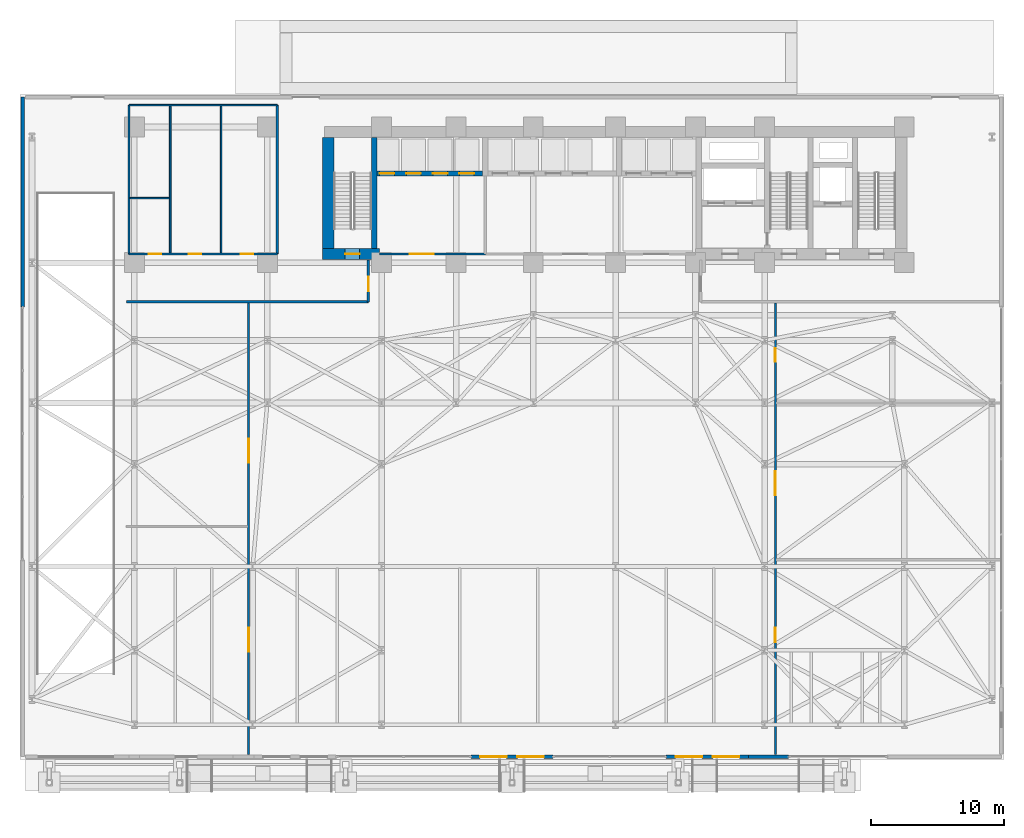
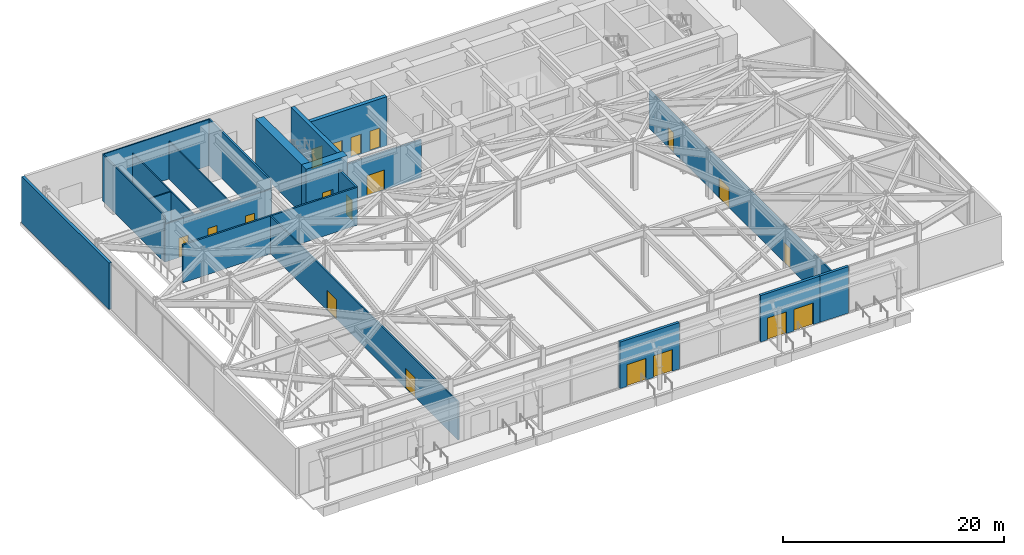
# One storey, part 25 of 31: 20 walls, 19 doors, 19 openings.
"""IFC4 building model written with IfcOpenShell, lengths in metres."""

from ifc_helpers import new_model, si_unit, direction, frame, frame_2d, origin, place, context, subcontext, project, spatial, rectangle, extrude, material, layer, layer_set, type_object, element, fill, save


model = new_model("IFC4")

# Units and contexts
model_context = context("Model", 3, precision=1e-05, world=origin(), true_north=direction((0.0, 1.0)))
body_context = subcontext(model_context, "Body", "Model", "MODEL_VIEW")
ifc_project = project(units=[si_unit("LENGTHUNIT", "METRE"), si_unit("AREAUNIT", "SQUARE_METRE"), si_unit("VOLUMEUNIT", "CUBIC_METRE"), si_unit("PLANEANGLEUNIT", "RADIAN"), si_unit("MASSUNIT", "GRAM", prefix="KILO")], contexts=[model_context])

# Site, building, storey
site_placement = place(None, origin())
site = spatial("IfcSite", under=ifc_project, at=site_placement, CompositionType="ELEMENT")
building_placement = place(site_placement, origin())
building = spatial("IfcBuilding", under=site, at=building_placement, Name="Kravanh Interchange Tower", CompositionType="ELEMENT")
storey_placement = place(building_placement, origin())
storey = spatial("IfcBuildingStorey", under=building, at=storey_placement, Name="L00", CompositionType="ELEMENT", Elevation=0.0)

# Wall, openings, doors
ifc_material_1 = material(Name="Double Acoustic Gypsum Board and Mineral Wool")
ifc_layer_1 = layer(ifc_material_1, 0.1201171875)
ifc_layer_set_1 = layer_set([ifc_layer_1], Name="Acoustic Office Drywall Partition 120mm")
wall_type_1 = type_object("IfcWallType", Name="Acoustic Office Drywall Partition 120mm", PredefinedType="PARTITIONING", material=ifc_layer_set_1)
wall_1_placement = place(storey_placement, frame((8.199951171875, 38.0, 0.0), z_axis=(0.0, 0.0, 1.0), x_axis=(1.0, 0.0, 0.0)))
wall_1 = element("IfcWall", 1, at=wall_1_placement, inside=storey, type_object=wall_type_1, Name="L00 Restroom Corridor Wall 14", PredefinedType="PARTITIONING", context=body_context, shape_type="SweptSolid", body=[
    extrude(rectangle(XDim=11.150146484375, YDim=0.1201171875, at=frame_2d((5.5751953125, 0.0))), origin(), (0.0, 0.0, 1.0), 4.181884765625),
])
opening_1_placement = place(wall_1_placement, frame((1.481689453125, 0.0, 0.0)))
opening_1 = element("IfcOpeningElement", 2, at=opening_1_placement, cuts=wall_1, Name="Opening D-95", PredefinedType="OPENING", context=body_context, shape_type="SweptSolid", body=[
    extrude(rectangle(XDim=0.949951171875, YDim=2.14990234375, at=frame_2d((0.47509765625, 1.074951171875))), frame((0.0, 0.070068359375, 0.0), z_axis=(0.0, -1.0, 0.0), x_axis=(1.0, 0.0, 0.0)), (0.0, 0.0, 1.0), 0.14013671875),
])
opening_2_placement = place(wall_1_placement, frame((4.494384765625, 0.0, 0.0)))
opening_2 = element("IfcOpeningElement", 3, at=opening_2_placement, cuts=wall_1, Name="Opening D-95", PredefinedType="OPENING", context=body_context, shape_type="SweptSolid", body=[
    extrude(rectangle(XDim=0.949951171875, YDim=2.14990234375, at=frame_2d((0.47509765625, 1.074951171875))), frame((0.0, 0.070068359375, 0.0), z_axis=(0.0, -1.0, 0.0), x_axis=(1.0, 0.0, 0.0)), (0.0, 0.0, 1.0), 0.14013671875),
])
opening_3_placement = place(wall_1_placement, frame((8.40673828125, 0.0, 0.0)))
opening_3 = element("IfcOpeningElement", 4, at=opening_3_placement, cuts=wall_1, Name="Opening D-95", PredefinedType="OPENING", context=body_context, shape_type="SweptSolid", body=[
    extrude(rectangle(XDim=0.949951171875, YDim=2.14990234375, at=frame_2d((0.47509765625, 1.074951171875))), frame((0.0, 0.070068359375, 0.0), z_axis=(0.0, -1.0, 0.0), x_axis=(1.0, 0.0, 0.0)), (0.0, 0.0, 1.0), 0.14013671875),
])
ifc_material_2 = material(Name="Laminate Solid-Core Timber", Category="wood")
door_type_1 = type_object("IfcDoorType", Name="Accessible Restroom Door 950x2150", OperationType="NOTDEFINED", PredefinedType="DOOR", material=ifc_material_2)
door_1_placement = place(opening_1_placement, origin())
door_1 = element("IfcDoor", 5, at=door_1_placement, inside=storey, type_object=door_type_1, Name="L00 Accessible WC Door", OperationType="SINGLE_SWING_RIGHT", OverallHeight=2.14990234375, OverallWidth=0.949951171875, PredefinedType="DOOR", context=body_context, shape_type="SweptSolid", body=[
    extrude(rectangle(XDim=0.949951171875, YDim=2.14990234375, at=frame_2d((0.47509765625, 1.074951171875))), frame((0.0, 0.02490234375, 0.0), z_axis=(0.0, -1.0, 0.0), x_axis=(1.0, 0.0, 0.0)), (0.0, 0.0, 1.0), 0.050048828125),
])
fill(opening_1, door_1)
door_2_placement = place(opening_2_placement, origin())
door_2 = element("IfcDoor", 6, at=door_2_placement, inside=storey, type_object=door_type_1, Name="L00 Female WC Door", OperationType="SINGLE_SWING_LEFT", OverallHeight=2.14990234375, OverallWidth=0.949951171875, PredefinedType="DOOR", context=body_context, shape_type="SweptSolid", body=[
    extrude(rectangle(XDim=0.949951171875, YDim=2.14990234375, at=frame_2d((0.47509765625, 1.074951171875))), frame((0.0, 0.02490234375, 0.0), z_axis=(0.0, -1.0, 0.0), x_axis=(1.0, 0.0, 0.0)), (0.0, 0.0, 1.0), 0.050048828125),
])
fill(opening_2, door_2)
door_3_placement = place(opening_3_placement, origin())
door_3 = element("IfcDoor", 7, at=door_3_placement, inside=storey, type_object=door_type_1, Name="L00 Male WC Door", OperationType="SINGLE_SWING_RIGHT", OverallHeight=2.14990234375, OverallWidth=0.949951171875, PredefinedType="DOOR", context=body_context, shape_type="SweptSolid", body=[
    extrude(rectangle(XDim=0.949951171875, YDim=2.14990234375, at=frame_2d((0.47509765625, 1.074951171875))), frame((0.0, 0.02490234375, 0.0), z_axis=(0.0, -1.0, 0.0), x_axis=(1.0, 0.0, 0.0)), (0.0, 0.0, 1.0), 0.050048828125),
])
fill(opening_3, door_3)

# Walls
wall_2_placement = place(storey_placement, frame((8.199951171875, 38.0, 0.0), z_axis=(0.0, 0.0, 1.0), x_axis=(0.0, 1.0, 0.0)))
element("IfcWall", 8, at=wall_2_placement, inside=storey, type_object=wall_type_1, Name="L00 Restroom West Enclosure 15", PredefinedType="PARTITIONING", context=body_context, shape_type="SweptSolid", body=[
    extrude(rectangle(XDim=11.199951171875, YDim=0.1201171875, at=frame_2d((5.60009765625, 0.0))), origin(), (0.0, 0.0, 1.0), 5.1298828125),
])
wall_3_placement = place(storey_placement, frame((8.199951171875, 49.199951171875, 0.0), z_axis=(0.0, 0.0, 1.0), x_axis=(1.0, 0.0, 0.0)))
element("IfcWall", 9, at=wall_3_placement, inside=storey, type_object=wall_type_1, Name="L00 Restroom North Enclosure 16", PredefinedType="PARTITIONING", context=body_context, shape_type="SweptSolid", body=[
    extrude(rectangle(XDim=11.150146484375, YDim=0.1201171875, at=frame_2d((5.5751953125, 0.0))), origin(), (0.0, 0.0, 1.0), 5.1298828125),
])
for number, where, z_axis, x_axis, name in (
    (10, (11.300048828125, 38.068115234375, 0.0), (0.0, 0.0, 1.0), (0.0, 1.0, 0.0), "L00 Interior Partition 18"),
    (11, (15.1201171875, 38.068115234375, 0.0), (0.0, 0.0, 1.0), (0.0, 1.0, 0.0), "L00 Interior Partition 19"),
):
    element("IfcWall", number, at=place(storey_placement, frame(where, z_axis=z_axis, x_axis=x_axis)), inside=storey, type_object=wall_type_1, Name=name, PredefinedType="PARTITIONING", context=body_context, shape_type="SweptSolid", body=[
        extrude(rectangle(XDim=11.06396484375, YDim=0.1201171875, at=frame_2d((5.531982421875, 0.0))), origin(), (0.0, 0.0, 1.0), 4.181884765625),
    ])
wall_4_placement = place(storey_placement, frame((8.26806640625, 42.199951171875, 0.0), z_axis=(0.0, 0.0, 1.0), x_axis=(1.0, 0.0, 0.0)))
element("IfcWall", 12, at=wall_4_placement, inside=storey, type_object=wall_type_1, Name="L00 Interior Partition 20", PredefinedType="PARTITIONING", context=body_context, shape_type="SweptSolid", body=[
    extrude(rectangle(XDim=2.9638671875, YDim=0.1201171875, at=frame_2d((1.48193359375, 0.0))), origin(), (0.0, 0.0, 1.0), 4.181884765625),
])

# Wall, openings, doors
ifc_material_3 = material(Name="Concrete C80/95", Category="concrete")
ifc_layer_2 = layer(ifc_material_3, 0.39990234375)
ifc_layer_set_2 = layer_set([ifc_layer_2], Name="Core Shear Wall Concrete C80/95 400mm")
wall_type_2 = type_object("IfcWallType", Name="Core Shear Wall Concrete C80/95 400mm", PredefinedType="SHEAR", material=ifc_layer_set_2)
wall_5_placement = place(storey_placement, frame((26.85009765625, 44.050048828125, 0.0), z_axis=(0.0, 0.0, 1.0), x_axis=(1.0, 0.0, 0.0)))
wall_5 = element("IfcWall", 13, at=wall_5_placement, inside=storey, type_object=wall_type_2, Name="L00 Low-Rise Lift Shaft South Wall", PredefinedType="SHEAR", context=body_context, shape_type="SweptSolid", body=[
    extrude(rectangle(XDim=7.949951171875, YDim=0.39990234375, at=frame_2d((3.97509765625, 0.0))), origin(), (0.0, 0.0, 1.0), 5.39990234375),
])
opening_4_placement = place(wall_5_placement, frame((0.199951171875, 0.0, 0.0)))
opening_4 = element("IfcOpeningElement", 14, at=opening_4_placement, cuts=wall_5, Name="Opening LD01", PredefinedType="OPENING", context=body_context, shape_type="SweptSolid", body=[
    extrude(rectangle(XDim=1.10009765625, YDim=2.199951171875, at=frame_2d((0.550048828125, 1.10009765625))), frame((0.0, 0.2099609375, 0.0), z_axis=(0.0, -1.0, 0.0), x_axis=(1.0, 0.0, 0.0)), (0.0, 0.0, 1.0), 0.419921875),
])
opening_5_placement = place(wall_5_placement, frame((2.199951171875, 0.0, 0.0)))
opening_5 = element("IfcOpeningElement", 15, at=opening_5_placement, cuts=wall_5, Name="Opening LD01", PredefinedType="OPENING", context=body_context, shape_type="SweptSolid", body=[
    extrude(rectangle(XDim=1.10009765625, YDim=2.199951171875, at=frame_2d((0.550048828125, 1.10009765625))), frame((0.0, 0.2099609375, 0.0), z_axis=(0.0, -1.0, 0.0), x_axis=(1.0, 0.0, 0.0)), (0.0, 0.0, 1.0), 0.419921875),
])
opening_6_placement = place(wall_5_placement, frame((4.199951171875, 0.0, 0.0)))
opening_6 = element("IfcOpeningElement", 16, at=opening_6_placement, cuts=wall_5, Name="Opening LD01", PredefinedType="OPENING", context=body_context, shape_type="SweptSolid", body=[
    extrude(rectangle(XDim=1.10009765625, YDim=2.199951171875, at=frame_2d((0.550048828125, 1.10009765625))), frame((0.0, 0.2099609375, 0.0), z_axis=(0.0, -1.0, 0.0), x_axis=(1.0, 0.0, 0.0)), (0.0, 0.0, 1.0), 0.419921875),
])
opening_7_placement = place(wall_5_placement, frame((6.199951171875, 0.0, 0.0)))
opening_7 = element("IfcOpeningElement", 17, at=opening_7_placement, cuts=wall_5, Name="Opening LD01", PredefinedType="OPENING", context=body_context, shape_type="SweptSolid", body=[
    extrude(rectangle(XDim=1.10009765625, YDim=2.199951171875, at=frame_2d((0.550048828125, 1.10009765625))), frame((0.0, 0.2099609375, 0.0), z_axis=(0.0, -1.0, 0.0), x_axis=(1.0, 0.0, 0.0)), (0.0, 0.0, 1.0), 0.419921875),
])
ifc_material_4 = material(Name="Stainless Steel 304", Category="steel")
door_type_2 = type_object("IfcDoorType", Name="Passenger Lift Sliding Landing Door 1100x2200", OperationType="DOUBLE_DOOR_SLIDING", PredefinedType="DOOR", material=ifc_material_4)
door_4_placement = place(opening_4_placement, origin())
door_4 = element("IfcDoor", 18, at=door_4_placement, inside=storey, type_object=door_type_2, Name="L00 Lift LP-L1 Landing Door", OperationType="DOUBLE_DOOR_SLIDING", OverallHeight=2.199951171875, OverallWidth=1.10009765625, PredefinedType="DOOR", context=body_context, shape_type="SweptSolid", body=[
    extrude(rectangle(XDim=1.10009765625, YDim=2.199951171875, at=frame_2d((0.550048828125, 1.10009765625))), frame((0.0, 0.02490234375, 0.0), z_axis=(0.0, -1.0, 0.0), x_axis=(1.0, 0.0, 0.0)), (0.0, 0.0, 1.0), 0.050048828125),
])
fill(opening_4, door_4)
door_5_placement = place(opening_5_placement, origin())
door_5 = element("IfcDoor", 19, at=door_5_placement, inside=storey, type_object=door_type_2, Name="L00 Lift LP-L2 Landing Door", OperationType="DOUBLE_DOOR_SLIDING", OverallHeight=2.199951171875, OverallWidth=1.10009765625, PredefinedType="DOOR", context=body_context, shape_type="SweptSolid", body=[
    extrude(rectangle(XDim=1.10009765625, YDim=2.199951171875, at=frame_2d((0.550048828125, 1.10009765625))), frame((0.0, 0.02490234375, 0.0), z_axis=(0.0, -1.0, 0.0), x_axis=(1.0, 0.0, 0.0)), (0.0, 0.0, 1.0), 0.050048828125),
])
fill(opening_5, door_5)
door_6_placement = place(opening_6_placement, origin())
door_6 = element("IfcDoor", 20, at=door_6_placement, inside=storey, type_object=door_type_2, Name="L00 Lift LP-L3 Landing Door", OperationType="DOUBLE_DOOR_SLIDING", OverallHeight=2.199951171875, OverallWidth=1.10009765625, PredefinedType="DOOR", context=body_context, shape_type="SweptSolid", body=[
    extrude(rectangle(XDim=1.10009765625, YDim=2.199951171875, at=frame_2d((0.550048828125, 1.10009765625))), frame((0.0, 0.02490234375, 0.0), z_axis=(0.0, -1.0, 0.0), x_axis=(1.0, 0.0, 0.0)), (0.0, 0.0, 1.0), 0.050048828125),
])
fill(opening_6, door_6)
door_7_placement = place(opening_7_placement, origin())
door_7 = element("IfcDoor", 21, at=door_7_placement, inside=storey, type_object=door_type_2, Name="L00 Lift LP-L4 Landing Door", OperationType="DOUBLE_DOOR_SLIDING", OverallHeight=2.199951171875, OverallWidth=1.10009765625, PredefinedType="DOOR", context=body_context, shape_type="SweptSolid", body=[
    extrude(rectangle(XDim=1.10009765625, YDim=2.199951171875, at=frame_2d((0.550048828125, 1.10009765625))), frame((0.0, 0.02490234375, 0.0), z_axis=(0.0, -1.0, 0.0), x_axis=(1.0, 0.0, 0.0)), (0.0, 0.0, 1.0), 0.050048828125),
])
fill(opening_7, door_7)

# Wall
wall_6_placement = place(storey_placement, frame((26.64990234375, 38.425048828125, 0.0), z_axis=(0.0, 0.0, 1.0), x_axis=(0.0, 1.0, 0.0)))
element("IfcWall", 22, at=wall_6_placement, inside=storey, type_object=wall_type_2, Name="L00 Stair ST3 East Shear Wall", PredefinedType="SHEAR", context=body_context, shape_type="SweptSolid", body=[
    extrude(rectangle(XDim=8.324951171875, YDim=0.39990234375, at=frame_2d((4.16259765625, 0.0))), origin(), (0.0, 0.0, 1.0), 5.39990234375),
])

# Wall, opening, door
ifc_material_5 = material(Name="Concrete C80/95", Category="concrete")
ifc_layer_3 = layer(ifc_material_5, 0.85009765625)
ifc_layer_set_3 = layer_set([ifc_layer_3], Name="Core Shear Wall Concrete C80/95 850mm")
wall_type_3 = type_object("IfcWallType", Name="Core Shear Wall Concrete C80/95 850mm", PredefinedType="SHEAR", material=ifc_layer_set_3)
wall_7_placement = place(storey_placement, frame((22.75, 38.0, 0.0), z_axis=(0.0, 0.0, 1.0), x_axis=(1.0, 0.0, 0.0)))
wall_7 = element("IfcWall", 23, at=wall_7_placement, inside=storey, type_object=wall_type_3, Name="L00 Stair ST3 South Shear Wall", PredefinedType="SHEAR", context=body_context, shape_type="SweptSolid", body=[
    extrude(rectangle(XDim=4.300048828125, YDim=0.85009765625, at=frame_2d((2.14990234375, 0.0))), origin(), (0.0, 0.0, 1.0), 5.39990234375),
])
opening_8_placement = place(wall_7_placement, frame((1.699951171875, 0.0, 0.0)))
opening_8 = element("IfcOpeningElement", 24, at=opening_8_placement, cuts=wall_7, Name="Opening D-STAIR-110", PredefinedType="OPENING", context=body_context, shape_type="SweptSolid", body=[
    extrude(rectangle(XDim=1.10009765625, YDim=2.199951171875, at=frame_2d((0.550048828125, 1.10009765625))), frame((0.0, 0.43505859375, 0.0), z_axis=(0.0, -1.0, 0.0), x_axis=(1.0, 0.0, 0.0)), (0.0, 0.0, 1.0), 0.8701171875),
])
ifc_material_6 = material(Name="Structural Steel S355", Category="steel")
door_type_3 = type_object("IfcDoorType", Name="Fire-Rated Exit Stair Door 1100x2200", OperationType="NOTDEFINED", PredefinedType="DOOR", material=ifc_material_6)
door_8_placement = place(opening_8_placement, origin())
door_8 = element("IfcDoor", 25, at=door_8_placement, inside=storey, type_object=door_type_3, Name="L00 Exit Stair ST3 Door", OperationType="SINGLE_SWING_RIGHT", OverallHeight=2.199951171875, OverallWidth=1.10009765625, PredefinedType="DOOR", context=body_context, shape_type="SweptSolid", body=[
    extrude(rectangle(XDim=1.10009765625, YDim=2.199951171875, at=frame_2d((0.550048828125, 1.10009765625))), frame((0.0, 0.02490234375, 0.0), z_axis=(0.0, -1.0, 0.0), x_axis=(1.0, 0.0, 0.0)), (0.0, 0.0, 1.0), 0.050048828125),
])
fill(opening_8, door_8)

# Wall
wall_8_placement = place(storey_placement, frame((23.175048828125, 38.425048828125, 0.0), z_axis=(0.0, 0.0, 1.0), x_axis=(0.0, 1.0, 0.0)))
element("IfcWall", 26, at=wall_8_placement, inside=storey, type_object=wall_type_3, Name="L00 Stair ST3 West Shear Wall", PredefinedType="SHEAR", context=body_context, shape_type="SweptSolid", body=[
    extrude(rectangle(XDim=8.324951171875, YDim=0.85009765625, at=frame_2d((4.16259765625, 0.0))), origin(), (0.0, 0.0, 1.0), 5.39990234375),
])

# Wall, openings, doors
ifc_material_7 = material(Name="Insulated Precast Concrete C40/50 with Bronze Cladding", Category="concrete")
ifc_layer_4 = layer(ifc_material_7, 0.280029296875)
ifc_layer_set_4 = layer_set([ifc_layer_4], Name="Exterior Insulated Concrete C40/50 Bronze Spandrel Wall 280mm")
wall_type_4 = type_object("IfcWallType", Name="Exterior Insulated Concrete C40/50 Bronze Spandrel Wall 280mm", PredefinedType="STANDARD", material=ifc_layer_set_4)
wall_9_placement = place(storey_placement, frame((40.10009765625, 0.199951171875, 0.0), z_axis=(0.0, 0.0, 1.0), x_axis=(-1.0, 0.0, 0.0)))
wall_9 = element("IfcWall", 27, at=wall_9_placement, inside=storey, type_object=wall_type_4, Name="L00 South Station Entrance Portal C", PredefinedType="STANDARD", context=body_context, shape_type="SweptSolid", body=[
    extrude(rectangle(XDim=6.2001953125, YDim=0.280029296875, at=frame_2d((3.10009765625, 0.0))), origin(), (0.0, 0.0, 1.0), 5.1298828125),
])
opening_9_placement = place(wall_9_placement, frame((0.699951171875, 0.0, 0.0)))
opening_9 = element("IfcOpeningElement", 28, at=opening_9_placement, cuts=wall_9, Name="Opening ED-EXIT200", PredefinedType="OPENING", context=body_context, shape_type="SweptSolid", body=[
    extrude(rectangle(XDim=2.0, YDim=2.39990234375, at=frame_2d((1.0, 1.199951171875))), frame((0.0, 0.14990234375, 0.0), z_axis=(0.0, -1.0, 0.0), x_axis=(1.0, 0.0, 0.0)), (0.0, 0.0, 1.0), 0.300048828125),
])
opening_10_placement = place(wall_9_placement, frame((3.5, 0.0, 0.0)))
opening_10 = element("IfcOpeningElement", 29, at=opening_10_placement, cuts=wall_9, Name="Opening ED-EXIT200", PredefinedType="OPENING", context=body_context, shape_type="SweptSolid", body=[
    extrude(rectangle(XDim=2.0, YDim=2.39990234375, at=frame_2d((1.0, 1.199951171875))), frame((0.0, 0.14990234375, 0.0), z_axis=(0.0, -1.0, 0.0), x_axis=(1.0, 0.0, 0.0)), (0.0, 0.0, 1.0), 0.300048828125),
])
ifc_material_8 = material(Name="Anodised Bronze Aluminium and Toughened Glass", Category="aluminium")
door_type_4 = type_object("IfcDoorType", Name="Concourse Double Exit Door 2000x2400", OperationType="DOUBLE_DOOR_SINGLE_SWING", PredefinedType="DOOR", material=ifc_material_8)
door_9_placement = place(opening_9_placement, origin())
door_9 = element("IfcDoor", 30, at=door_9_placement, inside=storey, type_object=door_type_4, Name="South Station Street Exit Door 2A", OperationType="DOUBLE_DOOR_SINGLE_SWING", OverallHeight=2.39990234375, OverallWidth=2.0, PredefinedType="DOOR", context=body_context, shape_type="SweptSolid", body=[
    extrude(rectangle(XDim=2.0, YDim=2.39990234375, at=frame_2d((1.0, 1.199951171875))), frame((0.0, 0.02490234375, 0.0), z_axis=(0.0, -1.0, 0.0), x_axis=(1.0, 0.0, 0.0)), (0.0, 0.0, 1.0), 0.050048828125),
])
fill(opening_9, door_9)
door_10_placement = place(opening_10_placement, origin())
door_10 = element("IfcDoor", 31, at=door_10_placement, inside=storey, type_object=door_type_4, Name="South Station Street Exit Door 2B", OperationType="DOUBLE_DOOR_SINGLE_SWING", OverallHeight=2.39990234375, OverallWidth=2.0, PredefinedType="DOOR", context=body_context, shape_type="SweptSolid", body=[
    extrude(rectangle(XDim=2.0, YDim=2.39990234375, at=frame_2d((1.0, 1.199951171875))), frame((0.0, 0.02490234375, 0.0), z_axis=(0.0, -1.0, 0.0), x_axis=(1.0, 0.0, 0.0)), (0.0, 0.0, 1.0), 0.050048828125),
])
fill(opening_10, door_10)

wall_10_placement = place(storey_placement, frame((54.800048828125, 0.199951171875, 0.0), z_axis=(0.0, 0.0, 1.0), x_axis=(-1.0, 0.0, 0.0)))
wall_10 = element("IfcWall", 32, at=wall_10_placement, inside=storey, type_object=wall_type_4, Name="L00 South Station Entrance Portal E", PredefinedType="STANDARD", context=body_context, shape_type="SweptSolid", body=[
    extrude(rectangle(XDim=6.199951171875, YDim=0.280029296875, at=frame_2d((3.10009765625, 0.0))), origin(), (0.0, 0.0, 1.0), 5.1298828125),
])
opening_11_placement = place(wall_10_placement, frame((0.699951171875, 0.0, 0.0)))
opening_11 = element("IfcOpeningElement", 33, at=opening_11_placement, cuts=wall_10, Name="Opening ED-EXIT200", PredefinedType="OPENING", context=body_context, shape_type="SweptSolid", body=[
    extrude(rectangle(XDim=2.0, YDim=2.39990234375, at=frame_2d((1.0, 1.199951171875))), frame((0.0, 0.14990234375, 0.0), z_axis=(0.0, -1.0, 0.0), x_axis=(1.0, 0.0, 0.0)), (0.0, 0.0, 1.0), 0.300048828125),
])
opening_12_placement = place(wall_10_placement, frame((3.5, 0.0, 0.0)))
opening_12 = element("IfcOpeningElement", 34, at=opening_12_placement, cuts=wall_10, Name="Opening ED-EXIT200", PredefinedType="OPENING", context=body_context, shape_type="SweptSolid", body=[
    extrude(rectangle(XDim=2.0, YDim=2.39990234375, at=frame_2d((1.0, 1.199951171875))), frame((0.0, 0.14990234375, 0.0), z_axis=(0.0, -1.0, 0.0), x_axis=(1.0, 0.0, 0.0)), (0.0, 0.0, 1.0), 0.300048828125),
])
door_11_placement = place(opening_11_placement, origin())
door_11 = element("IfcDoor", 35, at=door_11_placement, inside=storey, type_object=door_type_4, Name="South Station Street Exit Door 3A", OperationType="DOUBLE_DOOR_SINGLE_SWING", OverallHeight=2.39990234375, OverallWidth=2.0, PredefinedType="DOOR", context=body_context, shape_type="SweptSolid", body=[
    extrude(rectangle(XDim=2.0, YDim=2.39990234375, at=frame_2d((1.0, 1.199951171875))), frame((0.0, 0.02490234375, 0.0), z_axis=(0.0, -1.0, 0.0), x_axis=(1.0, 0.0, 0.0)), (0.0, 0.0, 1.0), 0.050048828125),
])
fill(opening_11, door_11)
door_12_placement = place(opening_12_placement, origin())
door_12 = element("IfcDoor", 36, at=door_12_placement, inside=storey, type_object=door_type_4, Name="South Station Street Exit Door 3B", OperationType="DOUBLE_DOOR_SINGLE_SWING", OverallHeight=2.39990234375, OverallWidth=2.0, PredefinedType="DOOR", context=body_context, shape_type="SweptSolid", body=[
    extrude(rectangle(XDim=2.0, YDim=2.39990234375, at=frame_2d((1.0, 1.199951171875))), frame((0.0, 0.02490234375, 0.0), z_axis=(0.0, -1.0, 0.0), x_axis=(1.0, 0.0, 0.0)), (0.0, 0.0, 1.0), 0.050048828125),
])
fill(opening_12, door_12)

# Walls
wall_11_placement = place(storey_placement, frame((57.800048828125, 0.199951171875, 0.0), z_axis=(0.0, 0.0, 1.0), x_axis=(-1.0, 0.0, 0.0)))
element("IfcWall", 37, at=wall_11_placement, inside=storey, type_object=wall_type_4, Name="L00 Perimeter Closure Wall EW-L00-S-3", PredefinedType="STANDARD", context=body_context, shape_type="SweptSolid", body=[
    extrude(rectangle(XDim=3.0, YDim=0.280029296875, at=frame_2d((1.5, 0.0))), origin(), (0.0, 0.0, 1.0), 5.1298828125),
])
wall_12_placement = place(storey_placement, frame((0.199951171875, 34.0, 0.0), z_axis=(0.0, 0.0, 1.0), x_axis=(0.0, 1.0, 0.0)))
element("IfcWall", 38, at=wall_12_placement, inside=storey, type_object=wall_type_4, Name="L00 Perimeter Closure Wall EW-L00-W-2", PredefinedType="STANDARD", context=body_context, shape_type="SweptSolid", body=[
    extrude(rectangle(XDim=15.800048828125, YDim=0.280029296875, at=frame_2d((7.89990234375, 0.0))), origin(), (0.0, 0.0, 1.0), 5.1298828125),
])

# Wall, opening, door
ifc_material_9 = material(Name="Autoclaved Aerated Concrete C30/37 Blockwork", Category="masonry")
ifc_layer_5 = layer(ifc_material_9, 0.179931640625)
ifc_layer_set_5 = layer_set([ifc_layer_5], Name="Fire-Rated Lobby and Corridor Wall Concrete C30/37 180mm")
wall_type_5 = type_object("IfcWallType", Name="Fire-Rated Lobby and Corridor Wall Concrete C30/37 180mm", PredefinedType="STANDARD", material=ifc_layer_set_5)
wall_13_placement = place(storey_placement, frame((27.050048828125, 38.0, 0.0), z_axis=(0.0, 0.0, 1.0), x_axis=(1.0, 0.0, 0.0)))
wall_13 = element("IfcWall", 39, at=wall_13_placement, inside=storey, type_object=wall_type_5, Name="L00 Low-Rise Lobby South Wall 3", PredefinedType="STANDARD", context=body_context, shape_type="SweptSolid", body=[
    extrude(rectangle(XDim=7.949951171875, YDim=0.179931640625, at=frame_2d((3.97509765625, 0.0))), origin(), (0.0, 0.0, 1.0), 4.181884765625),
])
opening_13_placement = place(wall_13_placement, frame((2.25, 0.0, 0.0)))
opening_13 = element("IfcOpeningElement", 40, at=opening_13_placement, cuts=wall_13, Name="Opening DBL-180", PredefinedType="OPENING", context=body_context, shape_type="SweptSolid", body=[
    extrude(rectangle(XDim=1.800048828125, YDim=2.199951171875, at=frame_2d((0.89990234375, 1.10009765625))), frame((0.0, 0.10009765625, 0.0), z_axis=(0.0, -1.0, 0.0), x_axis=(1.0, 0.0, 0.0)), (0.0, 0.0, 1.0), 0.199951171875),
])
ifc_material_10 = material(Name="Structural Steel S355", Category="steel")
door_type_5 = type_object("IfcDoorType", Name="Lift Lobby Double Fire Door 1800x2200", OperationType="DOUBLE_DOOR_SINGLE_SWING", PredefinedType="DOOR", material=ifc_material_10)
door_13_placement = place(opening_13_placement, origin())
door_13 = element("IfcDoor", 41, at=door_13_placement, inside=storey, type_object=door_type_5, Name="L00 Low-Rise Lift Lobby Door", OperationType="DOUBLE_DOOR_SINGLE_SWING", OverallHeight=2.199951171875, OverallWidth=1.800048828125, PredefinedType="DOOR", context=body_context, shape_type="SweptSolid", body=[
    extrude(rectangle(XDim=1.800048828125, YDim=2.199951171875, at=frame_2d((0.89990234375, 1.10009765625))), frame((0.0, 0.02490234375, 0.0), z_axis=(0.0, -1.0, 0.0), x_axis=(1.0, 0.0, 0.0)), (0.0, 0.0, 1.0), 0.050048828125),
])
fill(opening_13, door_13)

# Wall
wall_14_placement = place(storey_placement, frame((8.0, 34.39990234375, 0.0), z_axis=(0.0, 0.0, 1.0), x_axis=(1.0, 0.0, 0.0)))
element("IfcWall", 42, at=wall_14_placement, inside=storey, type_object=wall_type_5, Name="L00 West Exit Passageway Rated Wall 12", PredefinedType="STANDARD", context=body_context, shape_type="SweptSolid", body=[
    extrude(rectangle(XDim=18.199951171875, YDim=0.179931640625, at=frame_2d((9.10009765625, 0.0))), origin(), (0.0, 0.0, 1.0), 4.181884765625),
])

# Wall, opening, door
wall_15_placement = place(storey_placement, frame((26.199951171875, 34.39990234375, 0.0), z_axis=(0.0, 0.0, 1.0), x_axis=(0.0, 1.0, 0.0)))
wall_15 = element("IfcWall", 43, at=wall_15_placement, inside=storey, type_object=wall_type_5, Name="L00 West Exit Passageway Vestibule Wall 13", PredefinedType="STANDARD", context=body_context, shape_type="SweptSolid", body=[
    extrude(rectangle(XDim=3.1669921875, YDim=0.179931640625, at=frame_2d((1.58349609375, 0.0))), origin(), (0.0, 0.0, 1.0), 4.181884765625),
])
opening_14_placement = place(wall_15_placement, frame((0.78466796875, 0.0, 0.0)))
opening_14 = element("IfcOpeningElement", 44, at=opening_14_placement, cuts=wall_15, Name="Opening D-STAIR-110", PredefinedType="OPENING", context=body_context, shape_type="SweptSolid", body=[
    extrude(rectangle(XDim=1.10009765625, YDim=2.199951171875, at=frame_2d((0.550048828125, 1.10009765625))), frame((0.0, 0.10009765625, 0.0), z_axis=(0.0, -1.0, 0.0), x_axis=(1.0, 0.0, 0.0)), (0.0, 0.0, 1.0), 0.199951171875),
])
door_14_placement = place(opening_14_placement, origin())
door_14 = element("IfcDoor", 45, at=door_14_placement, inside=storey, type_object=door_type_3, Name="L00 West Protected Exit Passageway Fire Door", OperationType="SINGLE_SWING_LEFT", OverallHeight=2.199951171875, OverallWidth=1.10009765625, PredefinedType="DOOR", context=body_context, shape_type="SweptSolid", body=[
    extrude(rectangle(XDim=1.10009765625, YDim=2.199951171875, at=frame_2d((0.550048828125, 1.10009765625))), frame((0.0, 0.02490234375, 0.0), z_axis=(0.0, -1.0, 0.0), x_axis=(1.0, 0.0, 0.0)), (0.0, 0.0, 1.0), 0.050048828125),
])
fill(opening_14, door_14)

# Wall
wall_16_placement = place(storey_placement, frame((19.35009765625, 38.0, 0.0), z_axis=(0.0, 0.0, 1.0), x_axis=(0.0, 1.0, 0.0)))
element("IfcWall", 46, at=wall_16_placement, inside=storey, type_object=wall_type_5, Name="L00 Restroom East Rated Wall 17", PredefinedType="STANDARD", context=body_context, shape_type="SweptSolid", body=[
    extrude(rectangle(XDim=11.199951171875, YDim=0.179931640625, at=frame_2d((5.60009765625, 0.0))), origin(), (0.0, 0.0, 1.0), 5.1298828125),
])

# Wall, openings, doors
ifc_material_11 = material(Name="Twin Stud Acoustic Gypsum Board Wall")
ifc_layer_6 = layer(ifc_material_11, 0.14990234375)
ifc_layer_set_6 = layer_set([ifc_layer_6], Name="Medium-Duty Acoustic Partition 150mm")
wall_type_6 = type_object("IfcWallType", Name="Medium-Duty Acoustic Partition 150mm", PredefinedType="PARTITIONING", material=ifc_layer_set_6)
wall_17_placement = place(storey_placement, frame((17.199951171875, 0.364990234375, 0.0), z_axis=(0.0, 0.0, 1.0), x_axis=(0.0, 1.0, 0.0)))
wall_17 = element("IfcWall", 47, at=wall_17_placement, inside=storey, type_object=wall_type_6, Name="L00 Interior Partition 5", PredefinedType="PARTITIONING", context=body_context, shape_type="SweptSolid", body=[
    extrude(rectangle(XDim=33.967041015625, YDim=0.14990234375, at=frame_2d((16.9833984375, 0.0))), origin(), (0.0, 0.0, 1.0), 4.181884765625),
])
opening_15_placement = place(wall_17_placement, frame((7.735107421875, 0.0, 0.0)))
opening_15 = element("IfcOpeningElement", 48, at=opening_15_placement, cuts=wall_17, Name="Opening DBL-180", PredefinedType="OPENING", context=body_context, shape_type="SweptSolid", body=[
    extrude(rectangle(XDim=1.800048828125, YDim=2.199951171875, at=frame_2d((0.89990234375, 1.10009765625))), frame((0.0, 0.0849609375, 0.0), z_axis=(0.0, -1.0, 0.0), x_axis=(1.0, 0.0, 0.0)), (0.0, 0.0, 1.0), 0.169921875),
])
opening_16_placement = place(wall_17_placement, frame((21.944091796875, 0.0, 0.0)))
opening_16 = element("IfcOpeningElement", 49, at=opening_16_placement, cuts=wall_17, Name="Opening DBL-180", PredefinedType="OPENING", context=body_context, shape_type="SweptSolid", body=[
    extrude(rectangle(XDim=1.800048828125, YDim=2.199951171875, at=frame_2d((0.89990234375, 1.10009765625))), frame((0.0, 0.0849609375, 0.0), z_axis=(0.0, -1.0, 0.0), x_axis=(1.0, 0.0, 0.0)), (0.0, 0.0, 1.0), 0.169921875),
])
door_15_placement = place(opening_15_placement, origin())
door_15 = element("IfcDoor", 50, at=door_15_placement, inside=storey, type_object=door_type_5, Name="L00 Concourse Cafe Entrance", OperationType="DOUBLE_DOOR_SINGLE_SWING", OverallHeight=2.199951171875, OverallWidth=1.800048828125, PredefinedType="DOOR", context=body_context, shape_type="SweptSolid", body=[
    extrude(rectangle(XDim=1.800048828125, YDim=2.199951171875, at=frame_2d((0.89990234375, 1.10009765625))), frame((0.0, 0.02490234375, 0.0), z_axis=(0.0, -1.0, 0.0), x_axis=(1.0, 0.0, 0.0)), (0.0, 0.0, 1.0), 0.050048828125),
])
fill(opening_15, door_15)
door_16_placement = place(opening_16_placement, origin())
door_16 = element("IfcDoor", 51, at=door_16_placement, inside=storey, type_object=door_type_5, Name="L00 Ticket Office Entrance", OperationType="DOUBLE_DOOR_SINGLE_SWING", OverallHeight=2.199951171875, OverallWidth=1.800048828125, PredefinedType="DOOR", context=body_context, shape_type="SweptSolid", body=[
    extrude(rectangle(XDim=1.800048828125, YDim=2.199951171875, at=frame_2d((0.89990234375, 1.10009765625))), frame((0.0, 0.02490234375, 0.0), z_axis=(0.0, -1.0, 0.0), x_axis=(1.0, 0.0, 0.0)), (0.0, 0.0, 1.0), 0.050048828125),
])
fill(opening_16, door_16)

wall_18_placement = place(storey_placement, frame((56.800048828125, 0.364990234375, 0.0), z_axis=(0.0, 0.0, 1.0), x_axis=(0.0, 1.0, 0.0)))
wall_18 = element("IfcWall", 52, at=wall_18_placement, inside=storey, type_object=wall_type_6, Name="L00 Interior Partition 6", PredefinedType="PARTITIONING", context=body_context, shape_type="SweptSolid", body=[
    extrude(rectangle(XDim=33.967041015625, YDim=0.14990234375, at=frame_2d((16.9833984375, 0.0))), origin(), (0.0, 0.0, 1.0), 4.181884765625),
])
opening_17_placement = place(wall_18_placement, frame((8.43505859375, 0.0, 0.0)))
opening_17 = element("IfcOpeningElement", 53, at=opening_17_placement, cuts=wall_18, Name="Opening D-STAIR-110", PredefinedType="OPENING", context=body_context, shape_type="SweptSolid", body=[
    extrude(rectangle(XDim=1.10009765625, YDim=2.199951171875, at=frame_2d((0.550048828125, 1.10009765625))), frame((0.0, 0.0849609375, 0.0), z_axis=(0.0, -1.0, 0.0), x_axis=(1.0, 0.0, 0.0)), (0.0, 0.0, 1.0), 0.169921875),
])
opening_18_placement = place(wall_18_placement, frame((19.485107421875, 0.0, 0.0)))
opening_18 = element("IfcOpeningElement", 54, at=opening_18_placement, cuts=wall_18, Name="Opening DBL-180", PredefinedType="OPENING", context=body_context, shape_type="SweptSolid", body=[
    extrude(rectangle(XDim=1.800048828125, YDim=2.199951171875, at=frame_2d((0.89990234375, 1.10009765625))), frame((0.0, 0.0849609375, 0.0), z_axis=(0.0, -1.0, 0.0), x_axis=(1.0, 0.0, 0.0)), (0.0, 0.0, 1.0), 0.169921875),
])
opening_19_placement = place(wall_18_placement, frame((29.51611328125, 0.0, 0.0)))
opening_19 = element("IfcOpeningElement", 55, at=opening_19_placement, cuts=wall_18, Name="Opening D-105", PredefinedType="OPENING", context=body_context, shape_type="SweptSolid", body=[
    extrude(rectangle(XDim=1.050048828125, YDim=2.199951171875, at=frame_2d((0.52490234375, 1.10009765625))), frame((0.0, 0.0849609375, 0.0), z_axis=(0.0, -1.0, 0.0), x_axis=(1.0, 0.0, 0.0)), (0.0, 0.0, 1.0), 0.169921875),
])
door_17_placement = place(opening_17_placement, origin())
door_17 = element("IfcDoor", 56, at=door_17_placement, inside=storey, type_object=door_type_3, Name="L00 Fire Command Room Concourse Door", OperationType="SINGLE_SWING_RIGHT", OverallHeight=2.199951171875, OverallWidth=1.10009765625, PredefinedType="DOOR", context=body_context, shape_type="SweptSolid", body=[
    extrude(rectangle(XDim=1.10009765625, YDim=2.199951171875, at=frame_2d((0.550048828125, 1.10009765625))), frame((0.0, 0.02490234375, 0.0), z_axis=(0.0, -1.0, 0.0), x_axis=(1.0, 0.0, 0.0)), (0.0, 0.0, 1.0), 0.050048828125),
])
fill(opening_17, door_17)
door_18_placement = place(opening_18_placement, origin())
door_18 = element("IfcDoor", 57, at=door_18_placement, inside=storey, type_object=door_type_5, Name="L00 Tower Reception Lobby Door", OperationType="DOUBLE_DOOR_SINGLE_SWING", OverallHeight=2.199951171875, OverallWidth=1.800048828125, PredefinedType="DOOR", context=body_context, shape_type="SweptSolid", body=[
    extrude(rectangle(XDim=1.800048828125, YDim=2.199951171875, at=frame_2d((0.89990234375, 1.10009765625))), frame((0.0, 0.02490234375, 0.0), z_axis=(0.0, -1.0, 0.0), x_axis=(1.0, 0.0, 0.0)), (0.0, 0.0, 1.0), 0.050048828125),
])
fill(opening_18, door_18)
ifc_material_12 = material(Name="Acoustic Glazed Oak and Aluminium", Category="aluminium")
door_type_6 = type_object("IfcDoorType", Name="Office Workplace Door 1050x2200", OperationType="NOTDEFINED", PredefinedType="DOOR", material=ifc_material_12)
door_19_placement = place(opening_19_placement, origin())
door_19 = element("IfcDoor", 58, at=door_19_placement, inside=storey, type_object=door_type_6, Name="L00 Left Luggage Service Door", OperationType="SINGLE_SWING_LEFT", OverallHeight=2.199951171875, OverallWidth=1.050048828125, PredefinedType="DOOR", context=body_context, shape_type="SweptSolid", body=[
    extrude(rectangle(XDim=1.050048828125, YDim=2.199951171875, at=frame_2d((0.52490234375, 1.10009765625))), frame((0.0, 0.02490234375, 0.0), z_axis=(0.0, -1.0, 0.0), x_axis=(1.0, 0.0, 0.0)), (0.0, 0.0, 1.0), 0.050048828125),
])
fill(opening_19, door_19)

save(model, "model.ifc")
